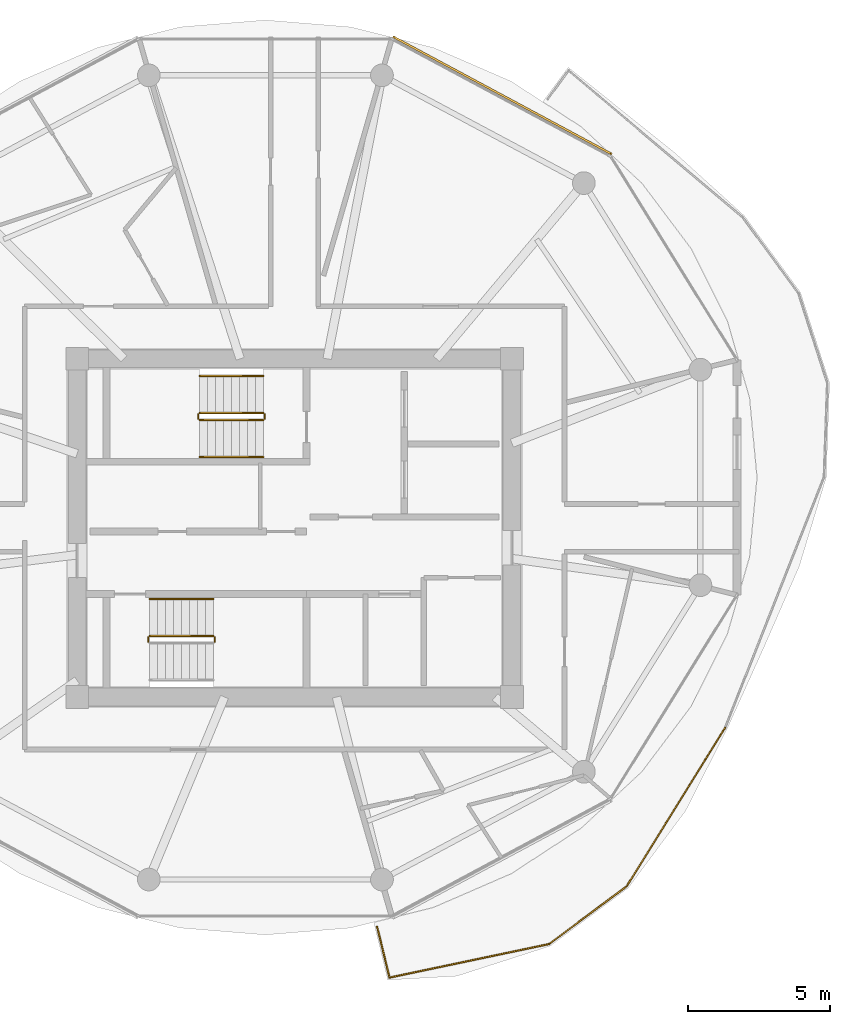
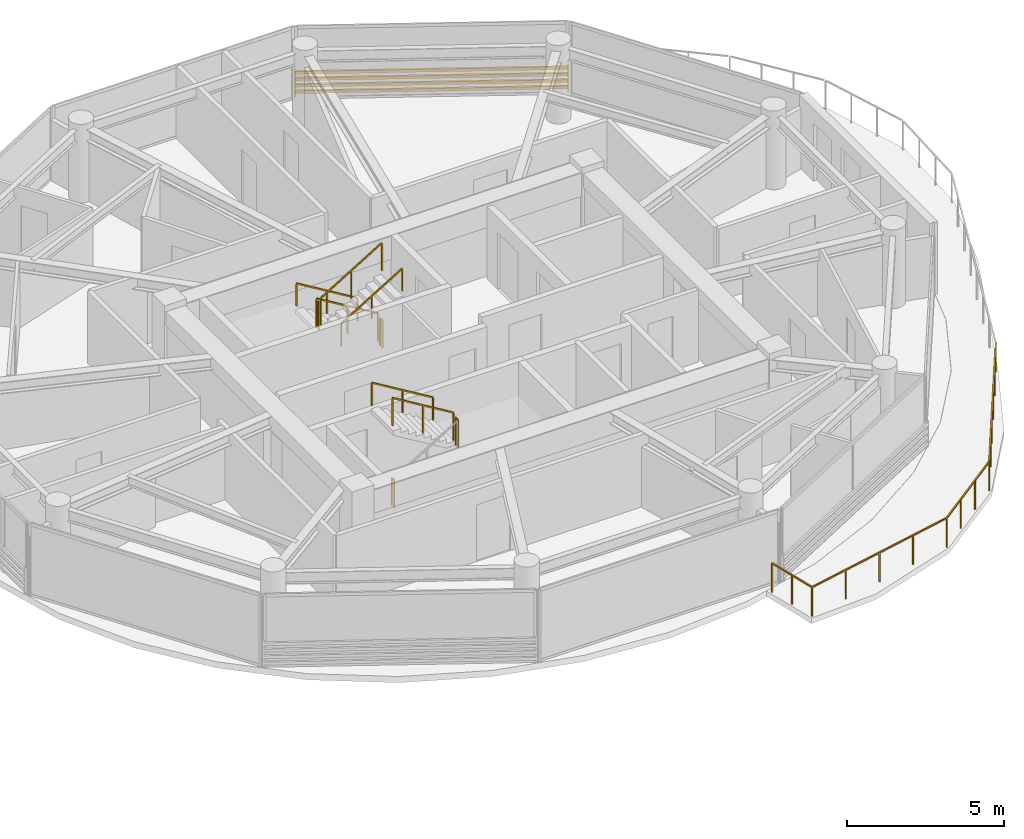
# One storey, part 22 of 23: 11 railings, 1 shading device.
"""IFC4 building model written with IfcOpenShell, lengths in metres."""

from ifc_helpers import new_model, si_unit, direction, frame, origin, origin_2d, place, context, subcontext, project, spatial, rectangle, extrude, source, transform, mapped, material, type_object, type_shapes, element, save


model = new_model("IFC4")

# Units and contexts
model_context = context("Model", 3, precision=1e-05, world=origin(), true_north=direction((0.0, 1.0)))
body_context = subcontext(model_context, "Body", "Model", "MODEL_VIEW")
ifc_project = project(units=[si_unit("LENGTHUNIT", "METRE"), si_unit("AREAUNIT", "SQUARE_METRE"), si_unit("VOLUMEUNIT", "CUBIC_METRE"), si_unit("PLANEANGLEUNIT", "RADIAN"), si_unit("MASSUNIT", "GRAM", prefix="KILO")], contexts=[model_context])

# Site, building, storey
site_placement = place(None, origin())
site = spatial("IfcSite", under=ifc_project, at=site_placement, CompositionType="ELEMENT")
building_placement = place(site_placement, origin())
building = spatial("IfcBuilding", under=site, at=building_placement, Name="Norrkilde Senior Care Towers", CompositionType="ELEMENT")
storey_placement = place(building_placement, frame((0.0, 0.0, 158.699951171875)))
storey = spatial("IfcBuildingStorey", under=building, at=storey_placement, Name="L49", CompositionType="ELEMENT", Elevation=158.699951171875)

# Railings
ifc_material_1 = material(Name="Anodised Aluminium", Category="aluminium")
railing_type_1 = type_object("IfcRailingType", Name="Balcony Swirl Ribbon Guardrail 1150", PredefinedType="GUARDRAIL", material=ifc_material_1)
railing_1_placement = place(storey_placement, frame((43.157958984375, -7.02978515625, 0.0)))
element("IfcRailing", 1, at=railing_1_placement, inside=storey, type_object=railing_type_1, Name="L49 Perimeter Safety Guard 01", PredefinedType="GUARDRAIL", context=body_context, shape_type="SweptSolid", body=[
    extrude(rectangle(XDim=0.048095703125, YDim=0.048095703125, at=origin_2d()), frame((0.0, 0.0, 1.1259765625), z_axis=(-0.527617029111, -0.849482354491, 0.0), x_axis=(0.849482354491, -0.527617029111, 0.0)), (0.0, 0.0, 1.0), 6.533935546875),
    extrude(rectangle(XDim=0.048095703125, YDim=0.048095703125, at=origin_2d()), frame((-3.501708984375, -5.609619140625, 1.1259765625), z_axis=(-0.802301132306, -0.596919503033, 0.0), x_axis=(0.596919503033, -0.802301132306, 0.0)), (0.0, 0.0, 1.0), 3.321533203125),
    extrude(rectangle(XDim=0.048095703125, YDim=0.048095703125, at=origin_2d()), frame((-6.239501953125, -7.625, 1.1259765625), z_axis=(-0.978585425478, -0.205841116013, 0.0), x_axis=(0.205841116013, -0.978585425478, 0.0)), (0.0, 0.0, 1.0), 5.65771484375),
    extrude(rectangle(XDim=0.048095703125, YDim=0.048095703125, at=origin_2d()), frame((-11.82568359375, -8.75830078125, 1.1259765625), z_axis=(-0.236523727051, 0.971625713195, 0.0), x_axis=(-0.971625713195, -0.236523727051, 0.0)), (0.0, 0.0, 1.0), 1.8046875),
    extrude(rectangle(XDim=0.0419921875, YDim=0.0419921875, at=origin_2d()), origin(), (0.0, 0.0, 1.0), 1.099853515625),
    extrude(rectangle(XDim=0.0419921875, YDim=0.0419921875, at=origin_2d()), frame((-0.69384765625, -1.116943359375, 0.0)), (0.0, 0.0, 1.0), 1.099853515625),
    extrude(rectangle(XDim=0.0419921875, YDim=0.0419921875, at=origin_2d()), frame((-1.3876953125, -2.234130859375, 0.0)), (0.0, 0.0, 1.0), 1.099853515625),
    extrude(rectangle(XDim=0.0419921875, YDim=0.0419921875, at=origin_2d()), frame((-2.081298828125, -3.35107421875, 0.0)), (0.0, 0.0, 1.0), 1.099853515625),
    extrude(rectangle(XDim=0.0419921875, YDim=0.0419921875, at=origin_2d()), frame((-2.775146484375, -4.46826171875, 0.0)), (0.0, 0.0, 1.0), 1.099853515625),
    extrude(rectangle(XDim=0.0419921875, YDim=0.0419921875, at=origin_2d()), frame((-3.468994140625, -5.585205078125, 0.0)), (0.0, 0.0, 1.0), 1.099853515625),
    extrude(rectangle(XDim=0.0419921875, YDim=0.0419921875, at=origin_2d()), frame((-4.379150390625, -6.262451171875, 0.0)), (0.0, 0.0, 1.0), 1.099853515625),
    extrude(rectangle(XDim=0.0419921875, YDim=0.0419921875, at=origin_2d()), frame((-5.289306640625, -6.939453125, 0.0)), (0.0, 0.0, 1.0), 1.099853515625),
    extrude(rectangle(XDim=0.0419921875, YDim=0.0419921875, at=origin_2d()), frame((-6.199462890625, -7.61669921875, 0.0)), (0.0, 0.0, 1.0), 1.099853515625),
    extrude(rectangle(XDim=0.0419921875, YDim=0.0419921875, at=origin_2d()), frame((-7.603515625, -7.912109375, 0.0)), (0.0, 0.0, 1.0), 1.099853515625),
    extrude(rectangle(XDim=0.0419921875, YDim=0.0419921875, at=origin_2d()), frame((-9.0078125, -8.20751953125, 0.0)), (0.0, 0.0, 1.0), 1.099853515625),
    extrude(rectangle(XDim=0.0419921875, YDim=0.0419921875, at=origin_2d()), frame((-10.411865234375, -8.502685546875, 0.0)), (0.0, 0.0, 1.0), 1.099853515625),
    extrude(rectangle(XDim=0.0419921875, YDim=0.0419921875, at=origin_2d()), frame((-11.81591796875, -8.798095703125, 0.0)), (0.0, 0.0, 1.0), 1.099853515625),
    extrude(rectangle(XDim=0.0419921875, YDim=0.0419921875, at=origin_2d()), frame((-12.0341796875, -7.9013671875, 0.0)), (0.0, 0.0, 1.0), 1.099853515625),
    extrude(rectangle(XDim=0.0419921875, YDim=0.0419921875, at=origin_2d()), frame((-12.25244140625, -7.0048828125, 0.0)), (0.0, 0.0, 1.0), 1.099853515625),
])
ifc_material_2 = material(Name="Stainless Steel", Category="steel")
railing_type_2 = type_object("IfcRailingType", Name="Stair and Terrace Guardrail 1100", PredefinedType="GUARDRAIL", material=ifc_material_2)
railing_2_placement = place(storey_placement, frame((26.89990234375, 4.050048828125, 0.16943359375)))
element("IfcRailing", 2, at=railing_2_placement, inside=storey, type_object=railing_type_2, Name="L49 ST-E1 stair guard 1", PredefinedType="GUARDRAIL", context=body_context, shape_type="SweptSolid", body=[
    extrude(rectangle(XDim=0.048095703125, YDim=0.048095703125, at=origin_2d()), frame((0.0, 0.0, 1.076171875), z_axis=(-0.855512035549, 0.0, 0.517782924622), x_axis=(0.0, -1.0, 0.0)), (0.0, 0.0, 1.0), 2.618408203125),
    extrude(rectangle(XDim=0.0419921875, YDim=0.0419921875, at=origin_2d()), origin(), (0.0, 0.0, 1.0), 1.050048828125),
    extrude(rectangle(XDim=0.0419921875, YDim=0.0419921875, at=origin_2d()), frame((-1.1201171875, 0.0, 0.677734375)), (0.0, 0.0, 1.0), 1.050048828125),
    extrude(rectangle(XDim=0.0419921875, YDim=0.0419921875, at=origin_2d()), frame((-2.239990234375, 0.0, 1.355712890625)), (0.0, 0.0, 1.0), 1.050048828125),
])
railing_3_placement = place(storey_placement, frame((24.610107421875, 4.0, 1.525146484375)))
element("IfcRailing", 3, at=railing_3_placement, inside=storey, type_object=railing_type_2, Name="L49 ST-E1 stair guard 2", PredefinedType="GUARDRAIL", context=body_context, shape_type="SweptSolid", body=[
    extrude(rectangle(XDim=0.048095703125, YDim=0.048095703125, at=origin_2d()), frame((0.0, 0.0, 1.076171875), z_axis=(0.0, -1.0, 0.0), x_axis=(1.0, 0.0, 0.0)), (0.0, 0.0, 1.0), 0.14990234375),
    extrude(rectangle(XDim=0.0419921875, YDim=0.0419921875, at=origin_2d()), origin(), (0.0, 0.0, 1.0), 1.050048828125),
    extrude(rectangle(XDim=0.0419921875, YDim=0.0419921875, at=origin_2d()), frame((0.0, -0.14990234375, 0.0)), (0.0, 0.0, 1.0), 1.050048828125),
])
railing_4_placement = place(storey_placement, frame((24.659912109375, 3.800048828125, 1.694580078125)))
element("IfcRailing", 4, at=railing_4_placement, inside=storey, type_object=railing_type_2, Name="L49 ST-E1 stair guard 3", PredefinedType="GUARDRAIL", context=body_context, shape_type="SweptSolid", body=[
    extrude(rectangle(XDim=0.048095703125, YDim=0.048095703125, at=origin_2d()), frame((0.0, 0.0, 1.076171875), z_axis=(0.855553338991, 0.0, 0.51771467445), x_axis=(0.0, 1.0, 0.0)), (0.0, 0.0, 1.0), 2.6181640625),
    extrude(rectangle(XDim=0.0419921875, YDim=0.0419921875, at=origin_2d()), origin(), (0.0, 0.0, 1.0), 1.050048828125),
    extrude(rectangle(XDim=0.0419921875, YDim=0.0419921875, at=origin_2d()), frame((1.1201171875, 0.0, 0.677734375)), (0.0, 0.0, 1.0), 1.050048828125),
    extrude(rectangle(XDim=0.0419921875, YDim=0.0419921875, at=origin_2d()), frame((2.239990234375, 0.0, 1.35546875)), (0.0, 0.0, 1.0), 1.050048828125),
])
railing_5_placement = place(storey_placement, frame((26.949951171875, 4.0, 0.0)))
element("IfcRailing", 5, at=railing_5_placement, inside=storey, type_object=railing_type_2, Name="L49 ST-E1 stair guard 4", PredefinedType="GUARDRAIL", context=body_context, shape_type="SweptSolid", body=[
    extrude(rectangle(XDim=0.048095703125, YDim=0.048095703125, at=origin_2d()), frame((0.0, 0.0, 1.076171875), z_axis=(0.0, -1.0, 0.0), x_axis=(1.0, 0.0, 0.0)), (0.0, 0.0, 1.0), 0.14990234375),
    extrude(rectangle(XDim=0.0419921875, YDim=0.0419921875, at=origin_2d()), origin(), (0.0, 0.0, 1.0), 1.050048828125),
    extrude(rectangle(XDim=0.0419921875, YDim=0.0419921875, at=origin_2d()), frame((0.0, -0.14990234375, 0.0)), (0.0, 0.0, 1.0), 1.050048828125),
])
railing_6_placement = place(storey_placement, frame((25.18994140625, -4.0, 1.525146484375)))
element("IfcRailing", 6, at=railing_6_placement, inside=storey, type_object=railing_type_2, Name="L49 ST-E2 stair guard 2", PredefinedType="GUARDRAIL", context=body_context, shape_type="SweptSolid", body=[
    extrude(rectangle(XDim=0.048095703125, YDim=0.048095703125, at=origin_2d()), frame((0.0, 0.0, 1.076171875), z_axis=(0.0, 1.0, 0.0), x_axis=(-1.0, 0.0, 0.0)), (0.0, 0.0, 1.0), 0.14990234375),
    extrude(rectangle(XDim=0.0419921875, YDim=0.0419921875, at=origin_2d()), origin(), (0.0, 0.0, 1.0), 1.050048828125),
    extrude(rectangle(XDim=0.0419921875, YDim=0.0419921875, at=origin_2d()), frame((0.0, 0.14990234375, 0.0)), (0.0, 0.0, 1.0), 1.050048828125),
])
railing_7_placement = place(storey_placement, frame((25.139892578125, -3.800048828125, 1.694580078125)))
element("IfcRailing", 7, at=railing_7_placement, inside=storey, type_object=railing_type_2, Name="L49 ST-E2 stair guard 3", PredefinedType="GUARDRAIL", context=body_context, shape_type="SweptSolid", body=[
    extrude(rectangle(XDim=0.048095703125, YDim=0.048095703125, at=origin_2d()), frame((0.0, 0.0, 1.076171875), z_axis=(-0.855553338991, 0.0, 0.51771467445), x_axis=(0.0, -1.0, 0.0)), (0.0, 0.0, 1.0), 2.6181640625),
    extrude(rectangle(XDim=0.0419921875, YDim=0.0419921875, at=origin_2d()), origin(), (0.0, 0.0, 1.0), 1.050048828125),
    extrude(rectangle(XDim=0.0419921875, YDim=0.0419921875, at=origin_2d()), frame((-1.1201171875, 0.0, 0.677734375)), (0.0, 0.0, 1.0), 1.050048828125),
    extrude(rectangle(XDim=0.0419921875, YDim=0.0419921875, at=origin_2d()), frame((-2.239990234375, 0.0, 1.35546875)), (0.0, 0.0, 1.0), 1.050048828125),
])
railing_8_placement = place(storey_placement, frame((22.85009765625, -4.0, 0.0)))
element("IfcRailing", 8, at=railing_8_placement, inside=storey, type_object=railing_type_2, Name="L49 ST-E2 stair guard 4", PredefinedType="GUARDRAIL", context=body_context, shape_type="SweptSolid", body=[
    extrude(rectangle(XDim=0.048095703125, YDim=0.048095703125, at=origin_2d()), frame((0.0, 0.0, 1.076171875), z_axis=(0.0, 1.0, 0.0), x_axis=(-1.0, 0.0, 0.0)), (0.0, 0.0, 1.0), 0.14990234375),
    extrude(rectangle(XDim=0.0419921875, YDim=0.0419921875, at=origin_2d()), origin(), (0.0, 0.0, 1.0), 1.050048828125),
    extrude(rectangle(XDim=0.0419921875, YDim=0.0419921875, at=origin_2d()), frame((0.0, 0.14990234375, 0.0)), (0.0, 0.0, 1.0), 1.050048828125),
])
ifc_material_3 = material(Name="Nordic Ash Timber", Category="wood")
railing_type_3 = type_object("IfcRailingType", Name="Wall and Stair Handrail 900", PredefinedType="HANDRAIL", material=ifc_material_3)
railing_9_placement = place(storey_placement, frame((26.89990234375, 5.35009765625, 0.16943359375)))
element("IfcRailing", 9, at=railing_9_placement, inside=storey, type_object=railing_type_3, Name="L49 ST-E1 stair handrail 1", PredefinedType="HANDRAIL", context=body_context, shape_type="SweptSolid", body=[
    extrude(rectangle(XDim=0.048095703125, YDim=0.048095703125, at=origin_2d()), frame((0.0, 0.0, 0.8759765625), z_axis=(-0.855512035549, 0.0, 0.517782924622), x_axis=(0.0, -1.0, 0.0)), (0.0, 0.0, 1.0), 2.618408203125),
    extrude(rectangle(XDim=0.0419921875, YDim=0.0419921875, at=origin_2d()), origin(), (0.0, 0.0, 1.0), 0.849853515625),
    extrude(rectangle(XDim=0.0419921875, YDim=0.0419921875, at=origin_2d()), frame((-1.1201171875, 0.0, 0.677734375)), (0.0, 0.0, 1.0), 0.849853515625),
    extrude(rectangle(XDim=0.0419921875, YDim=0.0419921875, at=origin_2d()), frame((-2.239990234375, 0.0, 1.355712890625)), (0.0, 0.0, 1.0), 0.849853515625),
])
railing_10_placement = place(storey_placement, frame((24.659912109375, 2.5, 1.694580078125)))
element("IfcRailing", 10, at=railing_10_placement, inside=storey, type_object=railing_type_3, Name="L49 ST-E1 stair handrail 2", PredefinedType="HANDRAIL", context=body_context, shape_type="SweptSolid", body=[
    extrude(rectangle(XDim=0.048095703125, YDim=0.048095703125, at=origin_2d()), frame((0.0, 0.0, 0.8759765625), z_axis=(0.855553338991, 0.0, 0.51771467445), x_axis=(0.0, 1.0, 0.0)), (0.0, 0.0, 1.0), 2.6181640625),
    extrude(rectangle(XDim=0.0419921875, YDim=0.0419921875, at=origin_2d()), origin(), (0.0, 0.0, 1.0), 0.849853515625),
    extrude(rectangle(XDim=0.0419921875, YDim=0.0419921875, at=origin_2d()), frame((1.1201171875, 0.0, 0.677734375)), (0.0, 0.0, 1.0), 0.849853515625),
    extrude(rectangle(XDim=0.0419921875, YDim=0.0419921875, at=origin_2d()), frame((2.239990234375, 0.0, 1.35546875)), (0.0, 0.0, 1.0), 0.849853515625),
])
railing_11_placement = place(storey_placement, frame((25.139892578125, -2.5, 1.694580078125)))
element("IfcRailing", 11, at=railing_11_placement, inside=storey, type_object=railing_type_3, Name="L49 ST-E2 stair handrail 2", PredefinedType="HANDRAIL", context=body_context, shape_type="SweptSolid", body=[
    extrude(rectangle(XDim=0.048095703125, YDim=0.048095703125, at=origin_2d()), frame((0.0, 0.0, 0.8759765625), z_axis=(-0.855553338991, 0.0, 0.51771467445), x_axis=(0.0, -1.0, 0.0)), (0.0, 0.0, 1.0), 2.6181640625),
    extrude(rectangle(XDim=0.0419921875, YDim=0.0419921875, at=origin_2d()), origin(), (0.0, 0.0, 1.0), 0.849853515625),
    extrude(rectangle(XDim=0.0419921875, YDim=0.0419921875, at=origin_2d()), frame((-1.1201171875, 0.0, 0.677734375)), (0.0, 0.0, 1.0), 0.849853515625),
    extrude(rectangle(XDim=0.0419921875, YDim=0.0419921875, at=origin_2d()), frame((-2.239990234375, 0.0, 1.35546875)), (0.0, 0.0, 1.0), 0.849853515625),
])

# Shading device
ifc_material_4 = material(Name="Architectural Terracotta", Category="masonry")
shading_device_type = type_object("IfcShadingDeviceType", Name="Horizontal Terracotta Baguette Rack", PredefinedType="USERDEFINED", material=ifc_material_4)
shared_shape = source(origin(), body_context, "Body", "SweptSolid", [
    extrude(rectangle(XDim=0.070068359375, YDim=0.110107421875, at=origin_2d()), frame((0.0, 0.090087890625, 0.125), z_axis=(1.0, 0.0, 0.0), x_axis=(0.0, 1.0, 0.0)), (0.0, 0.0, 1.0), 8.74169921875),
    extrude(rectangle(XDim=0.070068359375, YDim=0.110107421875, at=origin_2d()), frame((0.0, 0.090087890625, 0.375), z_axis=(1.0, 0.0, 0.0), x_axis=(0.0, 1.0, 0.0)), (0.0, 0.0, 1.0), 8.74169921875),
    extrude(rectangle(XDim=0.070068359375, YDim=0.110107421875, at=origin_2d()), frame((0.0, 0.090087890625, 0.625), z_axis=(1.0, 0.0, 0.0), x_axis=(0.0, 1.0, 0.0)), (0.0, 0.0, 1.0), 8.74169921875),
    extrude(rectangle(XDim=0.070068359375, YDim=0.110107421875, at=origin_2d()), frame((0.0, 0.090087890625, 0.875), z_axis=(1.0, 0.0, 0.0), x_axis=(0.0, 1.0, 0.0)), (0.0, 0.0, 1.0), 8.74169921875),
    extrude(rectangle(XDim=0.050048828125, YDim=0.1552734375, at=origin_2d()), frame((0.02490234375, 0.047607421875, 0.0)), (0.0, 0.0, 1.0), 1.0),
    extrude(rectangle(XDim=0.050048828125, YDim=0.1552734375, at=origin_2d()), frame((8.716796875, 0.047607421875, 0.0)), (0.0, 0.0, 1.0), 1.0),
])
type_shapes(shading_device_type, [shared_shape])
shading_device_placement = place(storey_placement, frame((31.421630859375, 17.2109375, 0.080078125), z_axis=(0.0, 0.0, 1.0), x_axis=(0.880997598168, -0.47313299447, 0.0)))
element("IfcShadingDevice", 12, at=shading_device_placement, inside=storey, type_object=shading_device_type, Name="L49 Drum E Terracotta Baguette Screen 01", ObjectType="BAGUETTE", PredefinedType="USERDEFINED", context=body_context, shape_type="MappedRepresentation", body=[
    mapped(shared_shape, transform((0.0, 0.0, 0.0), x_axis=(1.0, 0.0, 0.0), y_axis=(0.0, 1.0, 0.0), z_axis=(0.0, 0.0, 1.0), scale=1.0)),
])

save(model, "model.ifc")
